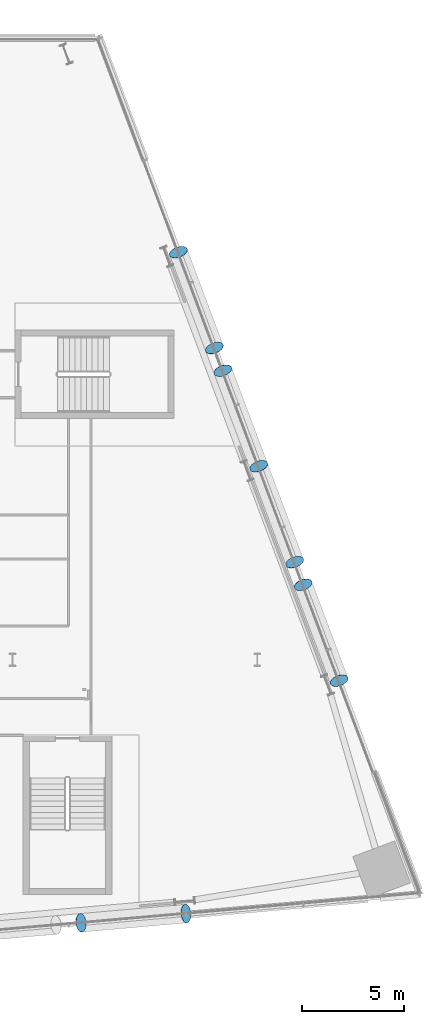
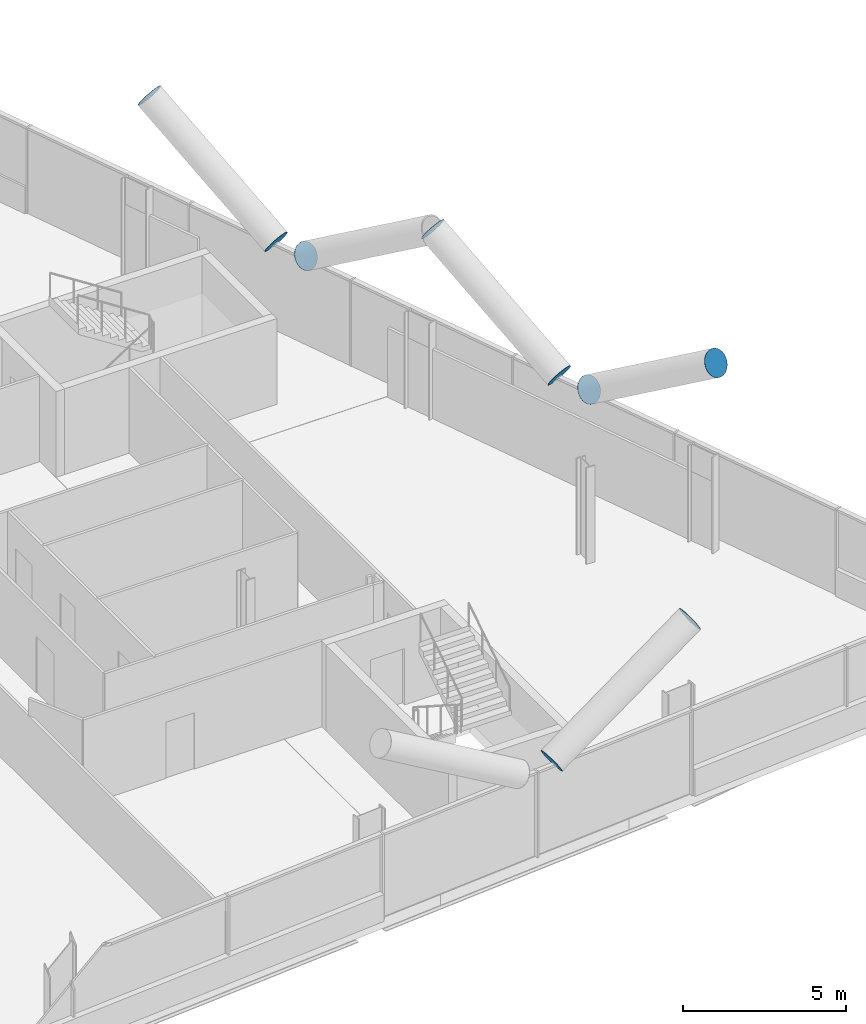
# One storey, part 21 of 25: 9 discrete accessories.
"""IFC4 building model written with IfcOpenShell, lengths in metres."""

from ifc_helpers import new_model, si_unit, direction, frame, origin, origin_2d, place, context, subcontext, project, spatial, circle, extrude, material, material_profile, profile_set, type_object, element, save


model = new_model("IFC4")

# Units and contexts
model_context = context("Model", 3, precision=1e-05, world=origin(), true_north=direction((0.0, 1.0)))
body_context = subcontext(model_context, "Body", "Model", "MODEL_VIEW")
ifc_project = project(units=[si_unit("LENGTHUNIT", "METRE"), si_unit("AREAUNIT", "SQUARE_METRE"), si_unit("VOLUMEUNIT", "CUBIC_METRE"), si_unit("PLANEANGLEUNIT", "RADIAN"), si_unit("MASSUNIT", "GRAM", prefix="KILO")], contexts=[model_context])

# Site, building, storey
site_placement = place(None, origin())
site = spatial("IfcSite", under=ifc_project, at=site_placement, CompositionType="ELEMENT")
building_placement = place(site_placement, origin())
building = spatial("IfcBuilding", under=site, at=building_placement, Name="Wharfspan Tower", CompositionType="ELEMENT")
storey_placement = place(building_placement, frame((0.0, 0.0, 63.100098)))
storey = spatial("IfcBuildingStorey", under=building, at=storey_placement, Name="L12", CompositionType="ELEMENT", Elevation=63.100098)

# Discrete accessories
ifc_material = material(Name="Steel S460NH", Category="steel")
ifc_material_profile = material_profile(ifc_material, circle(Radius=0.457031, at=origin_2d()))
ifc_profile_set = profile_set([ifc_material_profile], Name="Steel S460NH")
discrete_accessory_type = type_object("IfcDiscreteAccessoryType", Name="End plate CHS 914x40", PredefinedType="BRACKET", material=ifc_profile_set)
for number, where, z_axis, x_axis, name in (
    (1, (75.352783, -1.401123, 3.280273), (0.844416, 0.072379, 0.530776), (-0.085402, 0.99635, 0.0), "End plate CHS 914x40"),
    (2, (80.495117, -0.951416, 6.5), (0.855186, 0.073302, 0.513112), (-0.085402, 0.996345, 1e-06), "End plate CHS 914x40"),
    (3, (85.835938, 16.280762, 3.2771), (-0.295241, 0.787309, 0.541275), (-0.936333, -0.351125, 0.0), "End plate CHS 914x40"),
    (4, (84.073486, 20.980713, 6.5), (-0.295241, 0.787309, 0.541275), (-0.936333, -0.351125, 0.0), "End plate CHS 914x40"),
    (5, (86.248535, 15.180664, 3.2771), (0.295241, -0.787309, 0.541275), (0.936333, 0.351125, 0.0), "End plate CHS 914x40"),
    (6, (88.010986, 10.480713, 6.5), (0.295241, -0.787309, 0.541275), (0.936333, 0.351125, 0.0), "End plate CHS 914x40"),
    (7, (81.898438, 26.780762, 3.2771), (-0.295241, 0.787309, 0.541275), (-0.936333, -0.351125, 0.0), "End plate CHS 914x40"),
    (8, (80.135986, 31.480713, 6.5), (-0.295241, 0.787309, 0.541275), (-0.936333, -0.351125, 0.0), "End plate CHS 914x40"),
    (9, (82.311035, 25.680664, 3.2771), (0.295241, -0.787309, 0.541275), (0.936333, 0.351125, 0.0), "End plate CHS 914x40"),
):
    element("IfcDiscreteAccessory", number, at=place(storey_placement, frame(where, z_axis=z_axis, x_axis=x_axis)), inside=storey, type_object=discrete_accessory_type, Name=name, PredefinedType="BRACKET", context=body_context, shape_type="SweptSolid", body=[
        extrude(circle(Radius=0.457031, at=origin_2d()), origin(), (0.0, 0.0, 1.0), 0.01001),
    ])

save(model, "model.ifc")
